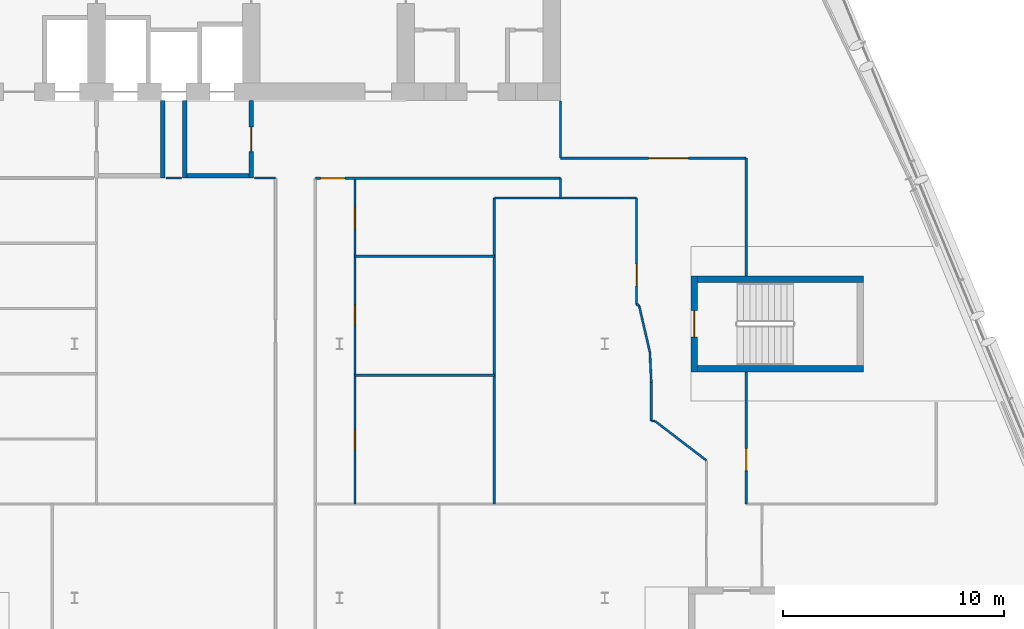
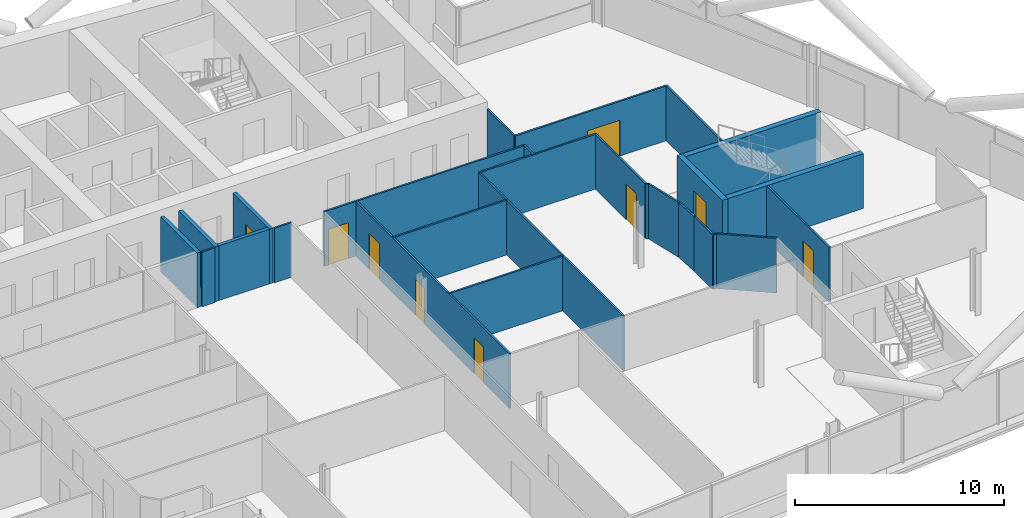
# One storey, part 16 of 26: 27 walls, 9 doors, 9 openings.
"""IFC4 building model written with IfcOpenShell, lengths in metres."""

from ifc_helpers import new_model, si_unit, direction, frame, frame_2d, origin, place, context, subcontext, project, spatial, rectangle, extrude, material, layer, layer_set, type_object, element, fill, save


model = new_model("IFC4")

# Units and contexts
model_context = context("Model", 3, precision=1e-05, world=origin(), true_north=direction((0.0, 1.0)))
body_context = subcontext(model_context, "Body", "Model", "MODEL_VIEW")
ifc_project = project(units=[si_unit("LENGTHUNIT", "METRE"), si_unit("AREAUNIT", "SQUARE_METRE"), si_unit("VOLUMEUNIT", "CUBIC_METRE"), si_unit("PLANEANGLEUNIT", "RADIAN"), si_unit("MASSUNIT", "GRAM", prefix="KILO")], contexts=[model_context])

# Site, building, storey
site_placement = place(None, origin())
site = spatial("IfcSite", under=ifc_project, at=site_placement, CompositionType="ELEMENT")
building_placement = place(site_placement, origin())
building = spatial("IfcBuilding", under=site, at=building_placement, Name="Wharfspan Tower", CompositionType="ELEMENT")
storey_placement = place(building_placement, frame((0.0, 0.0, 173.5)))
storey = spatial("IfcBuildingStorey", under=building, at=storey_placement, Name="L42", CompositionType="ELEMENT", Elevation=173.5)

# Wall, opening, door
ifc_material_1 = material(Name="Gypsum board on steel studs", Category="steel")
ifc_layer_1 = layer(ifc_material_1, 0.100098)
ifc_layer_set_1 = layer_set([ifc_layer_1], Name="Gypsum board on steel studs")
wall_type_1 = type_object("IfcWallType", Name="Compartment wall 100 EI 60", PredefinedType="PARTITIONING", material=ifc_layer_set_1)
wall_1_placement = place(storey_placement, frame((46.909912, 30.48999, 0.0), z_axis=(0.0, 0.0, 1.0), x_axis=(1.0, 0.0, 0.0)))
wall_1 = element("IfcWall", 1, at=wall_1_placement, inside=storey, type_object=wall_type_1, Name="Partition L42.w036", PredefinedType="PARTITIONING", context=body_context, shape_type="SweptSolid", body=[
    extrude(rectangle(XDim=11.090088, YDim=0.100098, at=frame_2d((5.544922, 0.0))), origin(), (0.0, 0.0, 1.0), 3.199951),
])
opening_1_placement = place(wall_1_placement, frame((0.235107, 0.0, 0.0)))
opening_1 = element("IfcOpeningElement", 2, at=opening_1_placement, cuts=wall_1, Name="Opening C3-21", PredefinedType="OPENING", context=body_context, shape_type="SweptSolid", body=[
    extrude(rectangle(XDim=1.100098, YDim=2.100098, at=frame_2d((0.550049, 1.050049))), frame((0.0, 0.060059, 0.0), z_axis=(0.0, -1.0, 0.0), x_axis=(1.0, 0.0, 0.0)), (0.0, 0.0, 1.0), 0.120117),
])
ifc_material_2 = material(Name="Fire-rated timber door leaf in steel frame", Category="steel")
door_type_1 = type_object("IfcDoorType", Name="Door 1100 FD30S Left", OperationType="SINGLE_SWING_LEFT", PredefinedType="DOOR", material=ifc_material_2)
door_1_placement = place(opening_1_placement, origin())
door_1 = element("IfcDoor", 3, at=door_1_placement, inside=storey, type_object=door_type_1, Name="Door C3-21", OperationType="SINGLE_SWING_LEFT", OverallHeight=2.100098, OverallWidth=1.100098, PredefinedType="DOOR", context=body_context, shape_type="SweptSolid", body=[
    extrude(rectangle(XDim=1.100098, YDim=2.100098, at=frame_2d((0.550049, 1.050049))), frame((0.0, 0.024902, 0.0), z_axis=(0.0, -1.0, 0.0), x_axis=(1.0, 0.0, 0.0)), (0.0, 0.0, 1.0), 0.050049),
])
fill(opening_1, door_1)

# Wall, openings, doors
wall_2_placement = place(storey_placement, frame((48.699951, 15.745117, 0.0), z_axis=(0.0, 0.0, 1.0), x_axis=(0.0, 1.0, 0.0)))
wall_2 = element("IfcWall", 4, at=wall_2_placement, inside=storey, type_object=wall_type_1, Name="Partition L42.w037", PredefinedType="PARTITIONING", context=body_context, shape_type="SweptSolid", body=[
    extrude(rectangle(XDim=14.744873, YDim=0.100098, at=frame_2d((7.372559, 0.0))), origin(), (0.0, 0.0, 1.0), 3.199951),
])
opening_2_placement = place(wall_2_placement, frame((2.468994, 0.0, 0.0)))
opening_2 = element("IfcOpeningElement", 5, at=opening_2_placement, cuts=wall_2, Name="Opening C3-10", PredefinedType="OPENING", context=body_context, shape_type="SweptSolid", body=[
    extrude(rectangle(XDim=0.899902, YDim=2.100098, at=frame_2d((0.449951, 1.050049))), frame((0.0, 0.060059, 0.0), z_axis=(0.0, -1.0, 0.0), x_axis=(1.0, 0.0, 0.0)), (0.0, 0.0, 1.0), 0.120117),
])
opening_3_placement = place(wall_2_placement, frame((8.099121, 0.0, 0.0)))
opening_3 = element("IfcOpeningElement", 6, at=opening_3_placement, cuts=wall_2, Name="Opening C3-15", PredefinedType="OPENING", context=body_context, shape_type="SweptSolid", body=[
    extrude(rectangle(XDim=0.899902, YDim=2.100098, at=frame_2d((0.449951, 1.050049))), frame((0.0, 0.060059, 0.0), z_axis=(0.0, -1.0, 0.0), x_axis=(1.0, 0.0, 0.0)), (0.0, 0.0, 1.0), 0.120117),
])
opening_4_placement = place(wall_2_placement, frame((12.434082, 0.0, 0.0)))
opening_4 = element("IfcOpeningElement", 7, at=opening_4_placement, cuts=wall_2, Name="Opening C3-19", PredefinedType="OPENING", context=body_context, shape_type="SweptSolid", body=[
    extrude(rectangle(XDim=1.0, YDim=2.100098, at=frame_2d((0.5, 1.050049))), frame((0.0, 0.060059, 0.0), z_axis=(0.0, -1.0, 0.0), x_axis=(1.0, 0.0, 0.0)), (0.0, 0.0, 1.0), 0.120117),
])
ifc_material_3 = material(Name="Timber door leaf in steel frame", Category="steel")
door_type_2 = type_object("IfcDoorType", Name="Door 1000 NOT RATED Right", OperationType="SINGLE_SWING_RIGHT", PredefinedType="DOOR", material=ifc_material_3)
door_2_placement = place(opening_4_placement, origin())
door_2 = element("IfcDoor", 8, at=door_2_placement, inside=storey, type_object=door_type_2, Name="Door C3-19", OperationType="SINGLE_SWING_RIGHT", OverallHeight=2.100098, OverallWidth=1.0, PredefinedType="DOOR", context=body_context, shape_type="SweptSolid", body=[
    extrude(rectangle(XDim=1.0, YDim=2.100098, at=frame_2d((0.5, 1.050049))), frame((0.0, 0.024902, 0.0), z_axis=(0.0, -1.0, 0.0), x_axis=(1.0, 0.0, 0.0)), (0.0, 0.0, 1.0), 0.050049),
])
fill(opening_4, door_2)
door_type_3 = type_object("IfcDoorType", Name="Door 900 NOT RATED Left", OperationType="SINGLE_SWING_LEFT", PredefinedType="DOOR", material=ifc_material_3)
door_3_placement = place(opening_2_placement, origin())
door_3 = element("IfcDoor", 9, at=door_3_placement, inside=storey, type_object=door_type_3, Name="Door C3-10", OperationType="SINGLE_SWING_LEFT", OverallHeight=2.100098, OverallWidth=0.899902, PredefinedType="DOOR", context=body_context, shape_type="SweptSolid", body=[
    extrude(rectangle(XDim=0.899902, YDim=2.100098, at=frame_2d((0.449951, 1.050049))), frame((0.0, 0.024902, 0.0), z_axis=(0.0, -1.0, 0.0), x_axis=(1.0, 0.0, 0.0)), (0.0, 0.0, 1.0), 0.050049),
])
fill(opening_2, door_3)
door_type_4 = type_object("IfcDoorType", Name="Door 900 NOT RATED Right", OperationType="SINGLE_SWING_RIGHT", PredefinedType="DOOR", material=ifc_material_3)
door_4_placement = place(opening_3_placement, origin())
door_4 = element("IfcDoor", 10, at=door_4_placement, inside=storey, type_object=door_type_4, Name="Door C3-15", OperationType="SINGLE_SWING_RIGHT", OverallHeight=2.100098, OverallWidth=0.899902, PredefinedType="DOOR", context=body_context, shape_type="SweptSolid", body=[
    extrude(rectangle(XDim=0.899902, YDim=2.100098, at=frame_2d((0.449951, 1.050049))), frame((0.0, 0.024902, 0.0), z_axis=(0.0, -1.0, 0.0), x_axis=(1.0, 0.0, 0.0)), (0.0, 0.0, 1.0), 0.050049),
])
fill(opening_3, door_4)

# Walls
wall_3_placement = place(storey_placement, frame((55.0, 29.600098, 0.0), z_axis=(0.0, 0.0, 1.0), x_axis=(1.0, 0.0, 0.0)))
element("IfcWall", 11, at=wall_3_placement, inside=storey, type_object=wall_type_1, Name="Partition L42.w044", PredefinedType="PARTITIONING", context=body_context, shape_type="SweptSolid", body=[
    extrude(rectangle(XDim=6.439941, YDim=0.100098, at=frame_2d((3.219971, 0.0))), origin(), (0.0, 0.0, 1.0), 3.199951),
])
wall_4_placement = place(storey_placement, frame((58.0, 29.600098, 0.0), z_axis=(0.0, 0.0, 1.0), x_axis=(0.0, 1.0, 0.0)))
element("IfcWall", 12, at=wall_4_placement, inside=storey, type_object=wall_type_1, Name="Partition L42.w045", PredefinedType="PARTITIONING", context=body_context, shape_type="SweptSolid", body=[
    extrude(rectangle(XDim=0.899902, YDim=0.100098, at=frame_2d((0.449951, 0.0))), origin(), (0.0, 0.0, 1.0), 3.199951),
])
wall_5_placement = place(storey_placement, frame((58.0, 31.399902, 0.0), z_axis=(0.0, 0.0, 1.0), x_axis=(0.0, 1.0, 0.0)))
element("IfcWall", 13, at=wall_5_placement, inside=storey, type_object=wall_type_1, Name="Partition L42.w046", PredefinedType="PARTITIONING", context=body_context, shape_type="SweptSolid", body=[
    extrude(rectangle(XDim=2.580078, YDim=0.100098, at=frame_2d((1.290039, 0.0))), origin(), (0.0, 0.0, 1.0), 3.199951),
])

# Wall, opening, door
wall_6_placement = place(storey_placement, frame((58.0, 31.399902, 0.0), z_axis=(0.0, 0.0, 1.0), x_axis=(1.0, 0.0, 0.0)))
wall_6 = element("IfcWall", 14, at=wall_6_placement, inside=storey, type_object=wall_type_1, Name="Partition L42.w047", PredefinedType="PARTITIONING", context=body_context, shape_type="SweptSolid", body=[
    extrude(rectangle(XDim=8.399902, YDim=0.100098, at=frame_2d((4.199951, 0.0))), origin(), (0.0, 0.0, 1.0), 3.199951),
])
opening_5_placement = place(wall_6_placement, frame((3.97998, 0.0, 0.0)))
opening_5 = element("IfcOpeningElement", 15, at=opening_5_placement, cuts=wall_6, Name="Opening C3-24", PredefinedType="OPENING", context=body_context, shape_type="SweptSolid", body=[
    extrude(rectangle(XDim=1.800049, YDim=2.100098, at=frame_2d((0.899902, 1.050049))), frame((0.0, 0.060059, 0.0), z_axis=(0.0, -1.0, 0.0), x_axis=(1.0, 0.0, 0.0)), (0.0, 0.0, 1.0), 0.120117),
])
door_type_5 = type_object("IfcDoorType", Name="Door 1800 FD30S Double", OperationType="DOUBLE_DOOR_SINGLE_SWING", PredefinedType="DOOR", material=ifc_material_2)
door_5_placement = place(opening_5_placement, origin())
door_5 = element("IfcDoor", 16, at=door_5_placement, inside=storey, type_object=door_type_5, Name="Door C3-24", OperationType="DOUBLE_DOOR_SINGLE_SWING", OverallHeight=2.100098, OverallWidth=1.800049, PredefinedType="DOOR", context=body_context, shape_type="SweptSolid", body=[
    extrude(rectangle(XDim=1.800049, YDim=2.100098, at=frame_2d((0.899902, 1.050049))), frame((0.0, 0.024902, 0.0), z_axis=(0.0, -1.0, 0.0), x_axis=(1.0, 0.0, 0.0)), (0.0, 0.0, 1.0), 0.050049),
])
fill(opening_5, door_5)

wall_7_placement = place(storey_placement, frame((61.439941, 24.800049, 0.0), z_axis=(0.0, 0.0, 1.0), x_axis=(0.0, 1.0, 0.0)))
wall_7 = element("IfcWall", 17, at=wall_7_placement, inside=storey, type_object=wall_type_1, Name="Partition L42.w049", PredefinedType="PARTITIONING", context=body_context, shape_type="SweptSolid", body=[
    extrude(rectangle(XDim=4.800049, YDim=0.100098, at=frame_2d((2.399902, 0.0))), origin(), (0.0, 0.0, 1.0), 3.199951),
])
opening_6_placement = place(wall_7_placement, frame((0.820068, 0.0, 0.0)))
opening_6 = element("IfcOpeningElement", 18, at=opening_6_placement, cuts=wall_7, Name="Opening C3-17", PredefinedType="OPENING", context=body_context, shape_type="SweptSolid", body=[
    extrude(rectangle(XDim=1.0, YDim=2.100098, at=frame_2d((0.5, 1.050049))), frame((0.0, 0.060059, 0.0), z_axis=(0.0, -1.0, 0.0), x_axis=(1.0, 0.0, 0.0)), (0.0, 0.0, 1.0), 0.120117),
])
door_type_6 = type_object("IfcDoorType", Name="Door 1000 FD30S Left", OperationType="SINGLE_SWING_LEFT", PredefinedType="DOOR", material=ifc_material_2)
door_6_placement = place(opening_6_placement, origin())
door_6 = element("IfcDoor", 19, at=door_6_placement, inside=storey, type_object=door_type_6, Name="Door C3-17", OperationType="SINGLE_SWING_LEFT", OverallHeight=2.100098, OverallWidth=1.0, PredefinedType="DOOR", context=body_context, shape_type="SweptSolid", body=[
    extrude(rectangle(XDim=1.0, YDim=2.100098, at=frame_2d((0.5, 1.050049))), frame((0.0, 0.024902, 0.0), z_axis=(0.0, -1.0, 0.0), x_axis=(1.0, 0.0, 0.0)), (0.0, 0.0, 1.0), 0.050049),
])
fill(opening_6, door_6)

# Walls
wall_8_placement = place(storey_placement, frame((61.560059, 24.695068, 0.0), z_axis=(0.0, 0.0, 1.0), x_axis=(-0.752958, 0.658073, 0.0)))
element("IfcWall", 20, at=wall_8_placement, inside=storey, type_object=wall_type_1, Name="Partition L42.w050", PredefinedType="PARTITIONING", context=body_context, shape_type="SweptSolid", body=[
    extrude(rectangle(XDim=0.159424, YDim=0.100098, at=frame_2d((0.07959, 0.0))), origin(), (0.0, 0.0, 1.0), 3.199951),
])
wall_9_placement = place(storey_placement, frame((62.040039, 22.629883, 0.0), z_axis=(0.0, 0.0, 1.0), x_axis=(-0.226381, 0.974037, 0.0)))
element("IfcWall", 21, at=wall_9_placement, inside=storey, type_object=wall_type_1, Name="Partition L42.w051", PredefinedType="PARTITIONING", context=body_context, shape_type="SweptSolid", body=[
    extrude(rectangle(XDim=2.120117, YDim=0.100098, at=frame_2d((1.060059, 0.0))), origin(), (0.0, 0.0, 1.0), 3.199951),
])
wall_10_placement = place(storey_placement, frame((62.10498, 19.5, 0.0), z_axis=(0.0, 0.0, 1.0), x_axis=(0.0, 1.0, 0.0)))
element("IfcWall", 22, at=wall_10_placement, inside=storey, type_object=wall_type_1, Name="Partition L42.w052", PredefinedType="PARTITIONING", context=body_context, shape_type="SweptSolid", body=[
    extrude(rectangle(XDim=1.75, YDim=0.100098, at=frame_2d((0.875, 0.0))), origin(), (0.0, 0.0, 1.0), 3.199951),
])
wall_11_placement = place(storey_placement, frame((62.10498, 19.5, 0.0), z_axis=(0.0, 0.0, 1.0), x_axis=(1.0, 0.0, 0.0)))
element("IfcWall", 23, at=wall_11_placement, inside=storey, type_object=wall_type_1, Name="Partition L42.w053", PredefinedType="PARTITIONING", context=body_context, shape_type="SweptSolid", body=[
    extrude(rectangle(XDim=0.169922, YDim=0.100098, at=frame_2d((0.084961, 0.0))), origin(), (0.0, 0.0, 1.0), 3.199951),
])
wall_12_placement = place(storey_placement, frame((62.10498, 21.25, 0.0), z_axis=(0.0, 0.0, 1.0), x_axis=(-0.047011, 0.998895, 0.0)))
element("IfcWall", 24, at=wall_12_placement, inside=storey, type_object=wall_type_1, Name="Partition L42.w054", PredefinedType="PARTITIONING", context=body_context, shape_type="SweptSolid", body=[
    extrude(rectangle(XDim=1.381348, YDim=0.100098, at=frame_2d((0.690674, 0.0))), origin(), (0.0, 0.0, 1.0), 3.199951),
])
wall_13_placement = place(storey_placement, frame((64.600098, 17.719971, 0.0), z_axis=(0.0, 0.0, 1.0), x_axis=(-0.794036, 0.607866, 0.0)))
element("IfcWall", 25, at=wall_13_placement, inside=storey, type_object=wall_type_1, Name="Partition L42.w056", PredefinedType="PARTITIONING", context=body_context, shape_type="SweptSolid", body=[
    extrude(rectangle(XDim=2.928223, YDim=0.100098, at=frame_2d((1.464111, 0.0))), origin(), (0.0, 0.0, 1.0), 3.199951),
])

# Wall, opening, door
wall_14_placement = place(storey_placement, frame((66.399902, 15.745117, 0.0), z_axis=(0.0, 0.0, 1.0), x_axis=(0.0, 1.0, 0.0)))
wall_14 = element("IfcWall", 26, at=wall_14_placement, inside=storey, type_object=wall_type_1, Name="Partition L42.w057", PredefinedType="PARTITIONING", context=body_context, shape_type="SweptSolid", body=[
    extrude(rectangle(XDim=5.97998, YDim=0.100098, at=frame_2d((2.98999, 0.0))), origin(), (0.0, 0.0, 1.0), 3.199951),
])
opening_7_placement = place(wall_14_placement, frame((1.51001, 0.0, 0.0)))
opening_7 = element("IfcOpeningElement", 27, at=opening_7_placement, cuts=wall_14, Name="Opening C3-08", PredefinedType="OPENING", context=body_context, shape_type="SweptSolid", body=[
    extrude(rectangle(XDim=1.0, YDim=2.100098, at=frame_2d((0.5, 1.050049))), frame((0.0, 0.060059, 0.0), z_axis=(0.0, -1.0, 0.0), x_axis=(1.0, 0.0, 0.0)), (0.0, 0.0, 1.0), 0.120117),
])
door_7_placement = place(opening_7_placement, origin())
door_7 = element("IfcDoor", 28, at=door_7_placement, inside=storey, type_object=door_type_6, Name="Door C3-08", OperationType="SINGLE_SWING_LEFT", OverallHeight=2.100098, OverallWidth=1.0, PredefinedType="DOOR", context=body_context, shape_type="SweptSolid", body=[
    extrude(rectangle(XDim=1.0, YDim=2.100098, at=frame_2d((0.5, 1.050049))), frame((0.0, 0.024902, 0.0), z_axis=(0.0, -1.0, 0.0), x_axis=(1.0, 0.0, 0.0)), (0.0, 0.0, 1.0), 0.050049),
])
fill(opening_7, door_7)

# Walls
wall_15_placement = place(storey_placement, frame((66.399902, 26.074951, 0.0), z_axis=(0.0, 0.0, 1.0), x_axis=(0.0, 1.0, 0.0)))
element("IfcWall", 29, at=wall_15_placement, inside=storey, type_object=wall_type_1, Name="Partition L42.w059", PredefinedType="PARTITIONING", context=body_context, shape_type="SweptSolid", body=[
    extrude(rectangle(XDim=5.324951, YDim=0.100098, at=frame_2d((2.662598, 0.0))), origin(), (0.0, 0.0, 1.0), 3.199951),
])
wall_16_placement = place(storey_placement, frame((40.149902, 30.5, 0.0), z_axis=(0.0, 0.0, 1.0), x_axis=(1.0, 0.0, 0.0)))
element("IfcWall", 30, at=wall_16_placement, inside=storey, type_object=wall_type_1, Name="Partition L42.w025 (2)", PredefinedType="PARTITIONING", context=body_context, shape_type="SweptSolid", body=[
    extrude(rectangle(XDim=0.700195, YDim=0.100098, at=frame_2d((0.350098, 0.0))), origin(), (0.0, 0.0, 1.0), 3.199951),
])
wall_17_placement = place(storey_placement, frame((44.149902, 30.5, 0.0), z_axis=(0.0, 0.0, 1.0), x_axis=(1.0, 0.0, 0.0)))
element("IfcWall", 31, at=wall_17_placement, inside=storey, type_object=wall_type_1, Name="Partition L42.w025 (3)", PredefinedType="PARTITIONING", context=body_context, shape_type="SweptSolid", body=[
    extrude(rectangle(XDim=0.950195, YDim=0.100098, at=frame_2d((0.475098, 0.0))), origin(), (0.0, 0.0, 1.0), 3.199951),
])
ifc_material_4 = material(Name="Concrete C30/37", Category="concrete")
ifc_layer_2 = layer(ifc_material_4, 0.199951)
ifc_layer_set_2 = layer_set([ifc_layer_2], Name="Concrete C30/37")
wall_type_2 = type_object("IfcWallType", Name="Lobby wall 200", PredefinedType="PARTITIONING", material=ifc_layer_set_2)
for number, where, z_axis, x_axis, name in (
    (32, (40.0, 30.5, 0.0), (0.0, 0.0, 1.0), (0.0, 1.0, 0.0), "sw:L42:FLFF1E"),
    (33, (41.0, 30.5, 0.0), (0.0, 0.0, 1.0), (0.0, 1.0, 0.0), "sw:L42:FLFF2W"),
):
    element("IfcWall", number, at=place(storey_placement, frame(where, z_axis=z_axis, x_axis=x_axis)), inside=storey, type_object=wall_type_2, Name=name, PredefinedType="PARTITIONING", context=body_context, shape_type="SweptSolid", body=[
        extrude(rectangle(XDim=3.5, YDim=0.199951, at=frame_2d((1.75, 0.0))), origin(), (0.0, 0.0, 1.0), 3.199951),
    ])

# Wall, opening, door
wall_18_placement = place(storey_placement, frame((44.0, 30.5, 0.0), z_axis=(0.0, 0.0, 1.0), x_axis=(0.0, 1.0, 0.0)))
wall_18 = element("IfcWall", 34, at=wall_18_placement, inside=storey, type_object=wall_type_2, Name="sw:L42:FLFF2E", PredefinedType="PARTITIONING", context=body_context, shape_type="SweptSolid", body=[
    extrude(rectangle(XDim=3.5, YDim=0.199951, at=frame_2d((1.75, 0.0))), origin(), (0.0, 0.0, 1.0), 3.199951),
])
opening_8_placement = place(wall_18_placement, frame((1.199951, 0.0, 0.0)))
opening_8 = element("IfcOpeningElement", 35, at=opening_8_placement, cuts=wall_18, Name="Opening FL.FF2.L42", PredefinedType="OPENING", context=body_context, shape_type="SweptSolid", body=[
    extrude(rectangle(XDim=1.100098, YDim=2.100098, at=frame_2d((0.550049, 1.050049))), frame((0.0, 0.109863, 0.0), z_axis=(0.0, -1.0, 0.0), x_axis=(1.0, 0.0, 0.0)), (0.0, 0.0, 1.0), 0.219971),
])
ifc_material_5 = material(Name="Steel door leaf", Category="steel")
door_type_7 = type_object("IfcDoorType", Name="Firefighting lobby door 1100x2100", OperationType="SINGLE_SWING_LEFT", PredefinedType="DOOR", material=ifc_material_5)
door_8_placement = place(opening_8_placement, origin())
door_8 = element("IfcDoor", 36, at=door_8_placement, inside=storey, type_object=door_type_7, Name="fd:L42:FF2", OperationType="SINGLE_SWING_LEFT", OverallHeight=2.100098, OverallWidth=1.100098, PredefinedType="DOOR", context=body_context, shape_type="SweptSolid", body=[
    extrude(rectangle(XDim=1.100098, YDim=2.100098, at=frame_2d((0.550049, 1.050049))), frame((0.0, 0.024902, 0.0), z_axis=(0.0, -1.0, 0.0), x_axis=(1.0, 0.0, 0.0)), (0.0, 0.0, 1.0), 0.050049),
])
fill(opening_8, door_8)

# Walls
wall_19_placement = place(storey_placement, frame((41.100098, 30.600098, 0.0), z_axis=(0.0, 0.0, 1.0), x_axis=(1.0, 0.0, 0.0)))
element("IfcWall", 37, at=wall_19_placement, inside=storey, type_object=wall_type_2, Name="sw:L42:FLFF2F", PredefinedType="PARTITIONING", context=body_context, shape_type="SweptSolid", body=[
    extrude(rectangle(XDim=2.799805, YDim=0.199951, at=frame_2d((1.399902, 0.0))), origin(), (0.0, 0.0, 1.0), 3.199951),
])
ifc_layer_3 = layer(ifc_material_1, 0.100098)
ifc_layer_set_3 = layer_set([ifc_layer_3], Name="Gypsum board on steel studs")
wall_type_3 = type_object("IfcWallType", Name="Partition 100", PredefinedType="PARTITIONING", material=ifc_layer_set_3)
for number, where, z_axis, x_axis, name in (
    (38, (48.699951, 21.574951, 0.0), (0.0, 0.0, 1.0), (1.0, 0.0, 0.0), "Partition L42.w038"),
    (39, (48.699951, 26.959961, 0.0), (0.0, 0.0, 1.0), (1.0, 0.0, 0.0), "Partition L42.w039"),
):
    element("IfcWall", number, at=place(storey_placement, frame(where, z_axis=z_axis, x_axis=x_axis)), inside=storey, type_object=wall_type_3, Name=name, PredefinedType="PARTITIONING", context=body_context, shape_type="SweptSolid", body=[
        extrude(rectangle(XDim=6.300049, YDim=0.100098, at=frame_2d((3.149902, 0.0))), origin(), (0.0, 0.0, 1.0), 3.199951),
    ])
wall_20_placement = place(storey_placement, frame((55.0, 15.745117, 0.0), z_axis=(0.0, 0.0, 1.0), x_axis=(0.0, 1.0, 0.0)))
element("IfcWall", 40, at=wall_20_placement, inside=storey, type_object=wall_type_3, Name="Partition L42.w043", PredefinedType="PARTITIONING", context=body_context, shape_type="SweptSolid", body=[
    extrude(rectangle(XDim=13.85498, YDim=0.100098, at=frame_2d((6.92749, 0.0))), origin(), (0.0, 0.0, 1.0), 3.199951),
])

# Wall, opening, door
ifc_material_6 = material(Name="Concrete C40/50", Category="concrete")
ifc_layer_4 = layer(ifc_material_6, 0.300049)
ifc_layer_set_4 = layer_set([ifc_layer_4], Name="Concrete C40/50")
wall_type_4 = type_object("IfcWallType", Name="Stair core wall 300", PredefinedType="SHEAR", material=ifc_layer_set_4)
wall_21_placement = place(storey_placement, frame((64.054688, 21.725098, 0.0), z_axis=(0.0, 0.0, 1.0), x_axis=(0.0, 1.0, 0.0)))
wall_21 = element("IfcWall", 41, at=wall_21_placement, inside=storey, type_object=wall_type_4, Name="ST6 stair enclosure wall L42", PredefinedType="SHEAR", context=body_context, shape_type="SweptSolid", body=[
    extrude(rectangle(XDim=4.349854, YDim=0.300049, at=frame_2d((2.174805, 0.0))), origin(), (0.0, 0.0, 1.0), 3.199951),
])
opening_9_placement = place(wall_21_placement, frame((1.574951, 0.0, 0.0)))
opening_9 = element("IfcOpeningElement", 42, at=opening_9_placement, cuts=wall_21, Name="Opening SD6.L42", PredefinedType="OPENING", context=body_context, shape_type="SweptSolid", body=[
    extrude(rectangle(XDim=1.199951, YDim=2.100098, at=frame_2d((0.600098, 1.050049))), frame((0.0, 0.159912, 0.0), z_axis=(0.0, -1.0, 0.0), x_axis=(1.0, 0.0, 0.0)), (0.0, 0.0, 1.0), 0.320068),
])
door_type_8 = type_object("IfcDoorType", Name="Stair door 1200x2100", OperationType="SINGLE_SWING_LEFT", PredefinedType="DOOR", material=ifc_material_5)
door_9_placement = place(opening_9_placement, origin())
door_9 = element("IfcDoor", 43, at=door_9_placement, inside=storey, type_object=door_type_8, Name="sd:L42:ST6z3", OperationType="SINGLE_SWING_RIGHT", OverallHeight=2.100098, OverallWidth=1.199951, PredefinedType="DOOR", context=body_context, shape_type="SweptSolid", body=[
    extrude(rectangle(XDim=1.199951, YDim=2.100098, at=frame_2d((0.600098, 1.050049))), frame((0.0, 0.024902, 0.0), z_axis=(0.0, -1.0, 0.0), x_axis=(1.0, 0.0, 0.0)), (0.0, 0.0, 1.0), 0.050049),
])
fill(opening_9, door_9)

# Walls
for number, where, z_axis, x_axis, name in (
    (44, (64.20459, 21.875, 0.0), (0.0, 0.0, 1.0), (1.0, 0.0, 0.0), "ST6 stair enclosure wall L42"),
    (45, (64.20459, 25.925049, 0.0), (0.0, 0.0, 1.0), (1.0, 0.0, 0.0), "ST6 stair enclosure wall L42"),
):
    element("IfcWall", number, at=place(storey_placement, frame(where, z_axis=z_axis, x_axis=x_axis)), inside=storey, type_object=wall_type_4, Name=name, PredefinedType="SHEAR", context=body_context, shape_type="SweptSolid", body=[
        extrude(rectangle(XDim=7.5, YDim=0.300049, at=frame_2d((3.75, 0.0))), origin(), (0.0, 0.0, 1.0), 3.199951),
    ])

save(model, "model.ifc")
